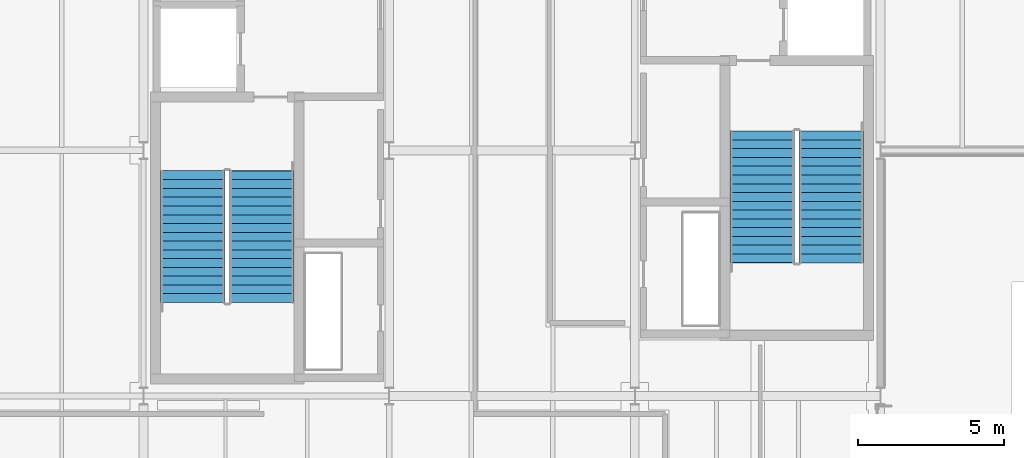
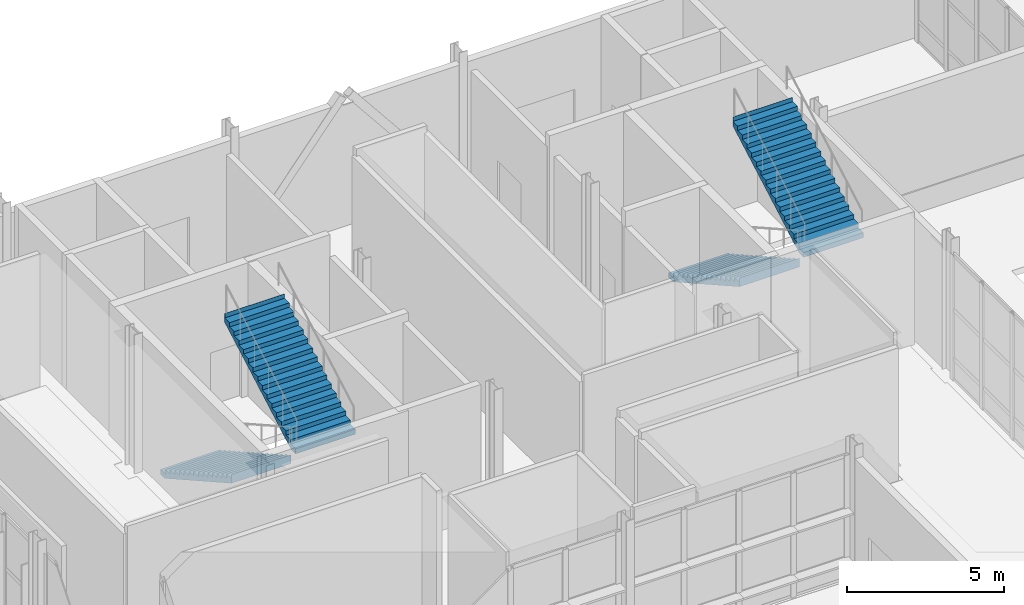
# One storey, part 97 of 124: 4 stair flights, 2 elements without a shape of their own.
"""IFC4 building model written with IfcOpenShell, lengths in metres."""

from ifc_helpers import new_model, si_unit, direction, frame, origin, place, context, subcontext, project, spatial, polyline, outline, extrude, material, type_object, element, aggregate, save


model = new_model("IFC4")

# Units and contexts
model_context = context("Model", 3, precision=1e-05, world=origin(), true_north=direction((0.0, 1.0)))
body_context = subcontext(model_context, "Body", "Model", "MODEL_VIEW")
ifc_project = project(units=[si_unit("LENGTHUNIT", "METRE"), si_unit("AREAUNIT", "SQUARE_METRE"), si_unit("VOLUMEUNIT", "CUBIC_METRE"), si_unit("PLANEANGLEUNIT", "RADIAN"), si_unit("MASSUNIT", "GRAM", prefix="KILO")], contexts=[model_context])

# Site, building, storey
site_placement = place(None, origin())
site = spatial("IfcSite", under=ifc_project, at=site_placement, CompositionType="ELEMENT")
building_placement = place(site_placement, origin())
building = spatial("IfcBuilding", under=site, at=building_placement, Name="Mersafa Astral City Hall", CompositionType="ELEMENT")
storey_placement = place(building_placement, origin())
storey = spatial("IfcBuildingStorey", under=building, at=storey_placement, Name="L00", CompositionType="ELEMENT", Elevation=0.0)

# Stair, stair flights
ifc_material = material(Name="Concrete C40/50", Category="concrete")
stair_type = type_object("IfcStairType", Name="STAIR", PredefinedType="HALF_TURN_STAIR", material=ifc_material)
stair_1_placement = place(storey_placement, origin())
stair_1 = element("IfcStair", 1, at=stair_1_placement, inside=storey, type_object=stair_type, Name="L00 Protected Exit Stair ST1", PredefinedType="HALF_TURN_STAIR")
stair_flight_type = type_object("IfcStairFlightType", Name="STAIR-FLIGHT", PredefinedType="STRAIGHT", material=ifc_material)
stair_flight_1_placement = place(storey_placement, frame((152.8798828125, 116.89990234375, 0.0), z_axis=(0.0, 0.0, 1.0), x_axis=(0.0, -1.0, 0.0)))
stair_flight_1 = element("IfcStairFlight", 2, at=stair_flight_1_placement, type_object=stair_flight_type, Name="ST1 flight 1", NumberOfRisers=16, NumberOfTreads=15, PredefinedType="STRAIGHT", RiserHeight=0.16875, TreadLength=0.3, context=body_context, shape_type="SweptSolid", body=[
    extrude(outline(polyline([(-0.008056640625, -0.02197265625), (-0.008056640625, -0.010009765625), (-0.008056640625, 0.001953125), (-0.008056640625, 0.013671875), (-0.008056640625, 0.025634765625), (-0.008056640625, 0.03759765625), (-0.008056640625, 0.049560546875), (-0.008056640625, 0.0615234375), (-0.008056640625, 0.073486328125), (-0.008056640625, 0.085205078125), (-0.008056640625, 0.09716796875), (-0.008056640625, 0.109130859375), (-0.008056640625, 0.12109375), (-0.008056640625, 0.133056640625), (-0.008056640625, 0.14501953125), (-0.008056640625, 0.15673828125), (-0.008056640625, 0.168701171875), (0.300048828125, 0.168701171875), (0.300048828125, 0.33740234375), (0.60009765625, 0.33740234375), (0.60009765625, 0.50634765625), (0.89990234375, 0.50634765625), (0.89990234375, 0.675048828125), (1.199951171875, 0.675048828125), (1.199951171875, 0.84375), (1.5, 0.84375), (1.5, 1.012451171875), (1.800048828125, 1.012451171875), (1.800048828125, 1.18115234375), (2.10009765625, 1.18115234375), (2.10009765625, 1.35009765625), (2.39990234375, 1.35009765625), (2.39990234375, 1.518798828125), (2.699951171875, 1.518798828125), (2.699951171875, 1.6875), (3.0, 1.6875), (3.0, 1.856201171875), (3.300048828125, 1.856201171875), (3.300048828125, 2.02490234375), (3.60009765625, 2.02490234375), (3.60009765625, 2.19384765625), (3.89990234375, 2.19384765625), (3.89990234375, 2.362548828125), (4.199951171875, 2.362548828125), (4.199951171875, 2.53125), (4.5, 2.53125), (4.5, 2.699951171875), (4.508056640625, 2.699951171875), (4.508056640625, 2.6787109375), (4.508056640625, 2.657470703125), (4.508056640625, 2.63623046875), (4.508056640625, 2.61474609375), (4.508056640625, 2.593505859375), (4.508056640625, 2.572265625), (4.508056640625, 2.551025390625), (4.508056640625, 2.529541015625), (4.508056640625, 2.50830078125), (4.508056640625, 2.487060546875), (4.508056640625, 2.4658203125), (4.508056640625, 2.4443359375), (4.508056640625, 2.423095703125), (4.508056640625, 2.40185546875), (4.508056640625, 2.380615234375), (4.508056640625, 2.359375), (0.2666015625, -0.02197265625), (-0.008056640625, -0.02197265625)])), frame((0.0, 1.10009765625, 0.0), z_axis=(0.0, -1.0, 0.0), x_axis=(1.0, 0.0, 0.0)), (0.0, 0.0, 1.0), 2.199951171875),
])
stair_flight_2_placement = place(storey_placement, frame((155.239990234375, 112.39990234375, 2.699951171875), z_axis=(0.0, 0.0, 1.0), x_axis=(0.0, 1.0, 0.0)))
stair_flight_2 = element("IfcStairFlight", 3, at=stair_flight_2_placement, type_object=stair_flight_type, Name="ST1 flight 2", NumberOfRisers=16, NumberOfTreads=15, PredefinedType="STRAIGHT", RiserHeight=0.16875, TreadLength=0.3, context=body_context, shape_type="SweptSolid", body=[
    extrude(outline(polyline([(-0.008056640625, -0.02197265625), (-0.008056640625, -0.010009765625), (-0.008056640625, 0.001953125), (-0.008056640625, 0.013671875), (-0.008056640625, 0.025634765625), (-0.008056640625, 0.03759765625), (-0.008056640625, 0.049560546875), (-0.008056640625, 0.0615234375), (-0.008056640625, 0.073486328125), (-0.008056640625, 0.085205078125), (-0.008056640625, 0.09716796875), (-0.008056640625, 0.109130859375), (-0.008056640625, 0.12109375), (-0.008056640625, 0.133056640625), (-0.008056640625, 0.14501953125), (-0.008056640625, 0.15673828125), (-0.008056640625, 0.168701171875), (0.300048828125, 0.168701171875), (0.300048828125, 0.33740234375), (0.60009765625, 0.33740234375), (0.60009765625, 0.50634765625), (0.89990234375, 0.50634765625), (0.89990234375, 0.675048828125), (1.199951171875, 0.675048828125), (1.199951171875, 0.84375), (1.5, 0.84375), (1.5, 1.012451171875), (1.800048828125, 1.012451171875), (1.800048828125, 1.18115234375), (2.10009765625, 1.18115234375), (2.10009765625, 1.35009765625), (2.39990234375, 1.35009765625), (2.39990234375, 1.518798828125), (2.699951171875, 1.518798828125), (2.699951171875, 1.6875), (3.0, 1.6875), (3.0, 1.856201171875), (3.300048828125, 1.856201171875), (3.300048828125, 2.02490234375), (3.60009765625, 2.02490234375), (3.60009765625, 2.19384765625), (3.89990234375, 2.19384765625), (3.89990234375, 2.362548828125), (4.199951171875, 2.362548828125), (4.199951171875, 2.53125), (4.5, 2.53125), (4.5, 2.699951171875), (4.508056640625, 2.699951171875), (4.508056640625, 2.6787109375), (4.508056640625, 2.657470703125), (4.508056640625, 2.63623046875), (4.508056640625, 2.61474609375), (4.508056640625, 2.593505859375), (4.508056640625, 2.572265625), (4.508056640625, 2.551025390625), (4.508056640625, 2.529541015625), (4.508056640625, 2.50830078125), (4.508056640625, 2.487060546875), (4.508056640625, 2.4658203125), (4.508056640625, 2.4443359375), (4.508056640625, 2.423095703125), (4.508056640625, 2.40185546875), (4.508056640625, 2.380615234375), (4.508056640625, 2.359375), (0.2666015625, -0.02197265625), (-0.008056640625, -0.02197265625)])), frame((0.0, 1.10009765625, 0.0), z_axis=(0.0, -1.0, 0.0), x_axis=(1.0, 0.0, 0.0)), (0.0, 0.0, 1.0), 2.199951171875),
])
aggregate(stair_1, [stair_flight_1, stair_flight_2])

stair_2_placement = place(storey_placement, origin())
stair_2 = element("IfcStair", 4, at=stair_2_placement, inside=storey, type_object=stair_type, Name="L00 Protected Exit Stair ST2", PredefinedType="HALF_TURN_STAIR")
stair_flight_3_placement = place(storey_placement, frame((172.360107421875, 118.260009765625, 0.0), z_axis=(0.0, 0.0, 1.0), x_axis=(0.0, -1.0, 0.0)))
stair_flight_3 = element("IfcStairFlight", 5, at=stair_flight_3_placement, type_object=stair_flight_type, Name="ST2 flight 1", NumberOfRisers=16, NumberOfTreads=15, PredefinedType="STRAIGHT", RiserHeight=0.16875, TreadLength=0.3, context=body_context, shape_type="SweptSolid", body=[
    extrude(outline(polyline([(-0.008056640625, -0.02197265625), (-0.008056640625, -0.010009765625), (-0.008056640625, 0.001953125), (-0.008056640625, 0.013671875), (-0.008056640625, 0.025634765625), (-0.008056640625, 0.03759765625), (-0.008056640625, 0.049560546875), (-0.008056640625, 0.0615234375), (-0.008056640625, 0.073486328125), (-0.008056640625, 0.085205078125), (-0.008056640625, 0.09716796875), (-0.008056640625, 0.109130859375), (-0.008056640625, 0.12109375), (-0.008056640625, 0.133056640625), (-0.008056640625, 0.14501953125), (-0.008056640625, 0.15673828125), (-0.008056640625, 0.168701171875), (0.300048828125, 0.168701171875), (0.300048828125, 0.33740234375), (0.60009765625, 0.33740234375), (0.60009765625, 0.50634765625), (0.89990234375, 0.50634765625), (0.89990234375, 0.675048828125), (1.199951171875, 0.675048828125), (1.199951171875, 0.84375), (1.5, 0.84375), (1.5, 1.012451171875), (1.800048828125, 1.012451171875), (1.800048828125, 1.18115234375), (2.10009765625, 1.18115234375), (2.10009765625, 1.35009765625), (2.39990234375, 1.35009765625), (2.39990234375, 1.518798828125), (2.699951171875, 1.518798828125), (2.699951171875, 1.6875), (3.0, 1.6875), (3.0, 1.856201171875), (3.300048828125, 1.856201171875), (3.300048828125, 2.02490234375), (3.60009765625, 2.02490234375), (3.60009765625, 2.19384765625), (3.89990234375, 2.19384765625), (3.89990234375, 2.362548828125), (4.199951171875, 2.362548828125), (4.199951171875, 2.53125), (4.5, 2.53125), (4.5, 2.699951171875), (4.508056640625, 2.699951171875), (4.508056640625, 2.6787109375), (4.508056640625, 2.657470703125), (4.508056640625, 2.63623046875), (4.508056640625, 2.61474609375), (4.508056640625, 2.593505859375), (4.508056640625, 2.572265625), (4.508056640625, 2.551025390625), (4.508056640625, 2.529541015625), (4.508056640625, 2.50830078125), (4.508056640625, 2.487060546875), (4.508056640625, 2.4658203125), (4.508056640625, 2.4443359375), (4.508056640625, 2.423095703125), (4.508056640625, 2.40185546875), (4.508056640625, 2.380615234375), (4.508056640625, 2.359375), (0.2666015625, -0.02197265625), (-0.008056640625, -0.02197265625)])), frame((0.0, 1.10009765625, 0.0), z_axis=(0.0, -1.0, 0.0), x_axis=(1.0, 0.0, 0.0)), (0.0, 0.0, 1.0), 2.199951171875),
])
stair_flight_4_placement = place(storey_placement, frame((174.719970703125, 113.760009765625, 2.699951171875), z_axis=(0.0, 0.0, 1.0), x_axis=(0.0, 1.0, 0.0)))
stair_flight_4 = element("IfcStairFlight", 6, at=stair_flight_4_placement, type_object=stair_flight_type, Name="ST2 flight 2", NumberOfRisers=16, NumberOfTreads=15, PredefinedType="STRAIGHT", RiserHeight=0.16875, TreadLength=0.3, context=body_context, shape_type="SweptSolid", body=[
    extrude(outline(polyline([(-0.008056640625, -0.02197265625), (-0.008056640625, -0.010009765625), (-0.008056640625, 0.001953125), (-0.008056640625, 0.013671875), (-0.008056640625, 0.025634765625), (-0.008056640625, 0.03759765625), (-0.008056640625, 0.049560546875), (-0.008056640625, 0.0615234375), (-0.008056640625, 0.073486328125), (-0.008056640625, 0.085205078125), (-0.008056640625, 0.09716796875), (-0.008056640625, 0.109130859375), (-0.008056640625, 0.12109375), (-0.008056640625, 0.133056640625), (-0.008056640625, 0.14501953125), (-0.008056640625, 0.15673828125), (-0.008056640625, 0.168701171875), (0.300048828125, 0.168701171875), (0.300048828125, 0.33740234375), (0.60009765625, 0.33740234375), (0.60009765625, 0.50634765625), (0.89990234375, 0.50634765625), (0.89990234375, 0.675048828125), (1.199951171875, 0.675048828125), (1.199951171875, 0.84375), (1.5, 0.84375), (1.5, 1.012451171875), (1.800048828125, 1.012451171875), (1.800048828125, 1.18115234375), (2.10009765625, 1.18115234375), (2.10009765625, 1.35009765625), (2.39990234375, 1.35009765625), (2.39990234375, 1.518798828125), (2.699951171875, 1.518798828125), (2.699951171875, 1.6875), (3.0, 1.6875), (3.0, 1.856201171875), (3.300048828125, 1.856201171875), (3.300048828125, 2.02490234375), (3.60009765625, 2.02490234375), (3.60009765625, 2.19384765625), (3.89990234375, 2.19384765625), (3.89990234375, 2.362548828125), (4.199951171875, 2.362548828125), (4.199951171875, 2.53125), (4.5, 2.53125), (4.5, 2.699951171875), (4.508056640625, 2.699951171875), (4.508056640625, 2.6787109375), (4.508056640625, 2.657470703125), (4.508056640625, 2.63623046875), (4.508056640625, 2.61474609375), (4.508056640625, 2.593505859375), (4.508056640625, 2.572265625), (4.508056640625, 2.551025390625), (4.508056640625, 2.529541015625), (4.508056640625, 2.50830078125), (4.508056640625, 2.487060546875), (4.508056640625, 2.4658203125), (4.508056640625, 2.4443359375), (4.508056640625, 2.423095703125), (4.508056640625, 2.40185546875), (4.508056640625, 2.380615234375), (4.508056640625, 2.359375), (0.2666015625, -0.02197265625), (-0.008056640625, -0.02197265625)])), frame((0.0, 1.10009765625, 0.0), z_axis=(0.0, -1.0, 0.0), x_axis=(1.0, 0.0, 0.0)), (0.0, 0.0, 1.0), 2.199951171875),
])
aggregate(stair_2, [stair_flight_3, stair_flight_4])

save(model, "model.ifc")
